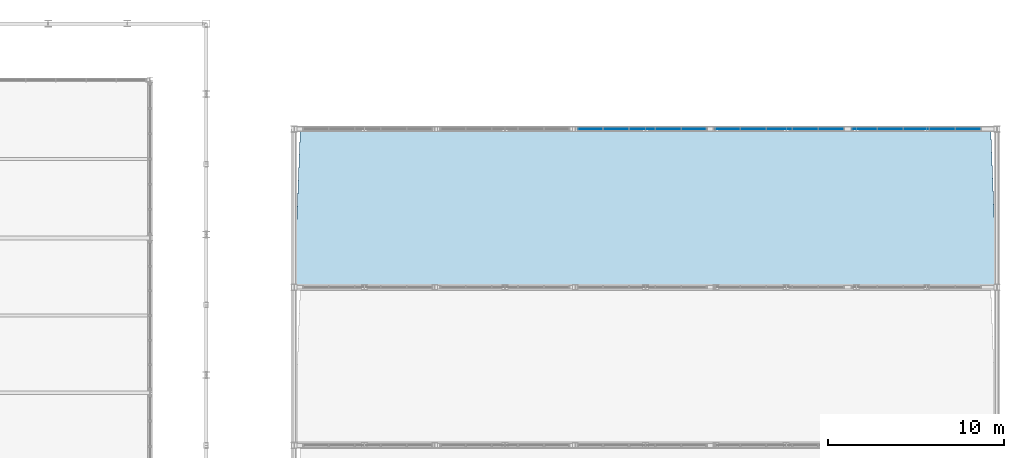
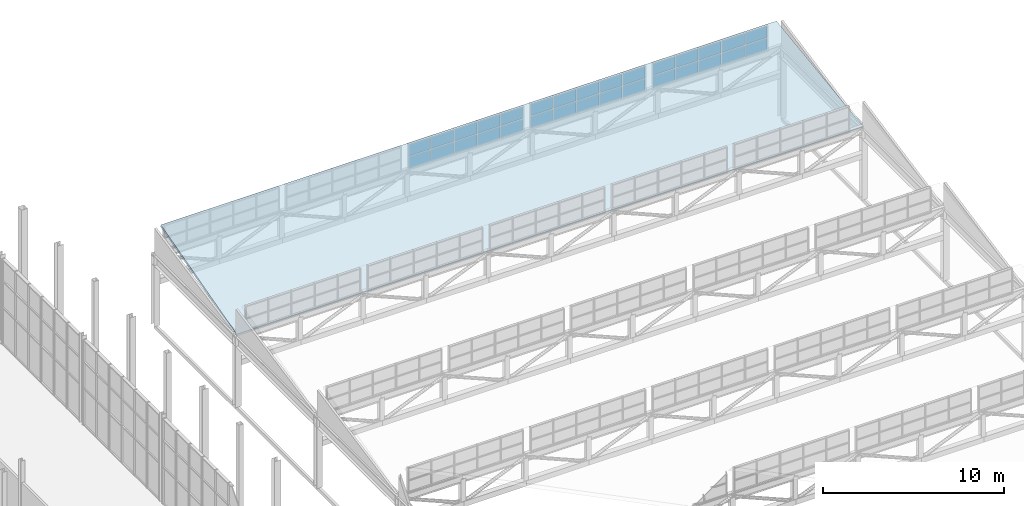
# One storey, part 119 of 159: 30 plates, 1 slab, 3 elements without a shape of their own.
"""IFC4 building model written with IfcOpenShell, lengths in metres."""

from ifc_helpers import new_model, si_unit, direction, frame, origin, origin_2d, place, context, subcontext, project, spatial, polyline, rectangle, outline, extrude, material, layer, layer_set, type_object, element, aggregate, save


model = new_model("IFC4")

# Units and contexts
model_context = context("Model", 3, precision=1e-05, world=origin(), true_north=direction((0.0, 1.0)))
body_context = subcontext(model_context, "Body", "Model", "MODEL_VIEW")
ifc_project = project(units=[si_unit("LENGTHUNIT", "METRE"), si_unit("AREAUNIT", "SQUARE_METRE"), si_unit("VOLUMEUNIT", "CUBIC_METRE"), si_unit("PLANEANGLEUNIT", "RADIAN"), si_unit("MASSUNIT", "GRAM", prefix="KILO")], contexts=[model_context])

# Site, building, storey
site_placement = place(None, origin())
site = spatial("IfcSite", under=ifc_project, at=site_placement, CompositionType="ELEMENT")
building_placement = place(site_placement, origin())
building = spatial("IfcBuilding", under=site, at=building_placement, Name="Cazmaro Siding Exhibition Halls", CompositionType="ELEMENT")
storey_placement = place(building_placement, frame((0.0, 0.0, 6.0)))
storey = spatial("IfcBuildingStorey", under=building, at=storey_placement, Name="L01", CompositionType="ELEMENT", Elevation=6.0)

# Curtain wall, plates
ifc_material_1 = material(Name="Anodized Bronze Aluminum and Solar-Control Low-E Glazing", Category="aluminium")
ifc_layer_1 = layer(ifc_material_1, 0.159912109375)
ifc_layer_set_1 = layer_set([ifc_layer_1], Name="Anodized Bronze Aluminum and Solar-Control Low-E Glazing")
curtain_wall_type = type_object("IfcCurtainWallType", Name="CWS-04", PredefinedType="USERDEFINED", material=ifc_layer_set_1)
curtain_wall_1_placement = place(storey_placement, origin())
curtain_wall_1 = element("IfcCurtainWall", 1, at=curtain_wall_1_placement, inside=storey, type_object=curtain_wall_type, Name="Clerestory Curtain Wall CWS-04 CW-137", ObjectType="CLERESTORY CURTAIN WALL", PredefinedType="USERDEFINED")
ifc_material_2 = material(Name="Solar-Control Low-E Double Insulating Glass", Category="glass")
ifc_layer_2 = layer(ifc_material_2, 0.028076171875)
ifc_layer_set_2 = layer_set([ifc_layer_2], Name="Solar-Control Low-E Double Insulating Glass")
plate_type = type_object("IfcPlateType", Name="CWP-04", PredefinedType="CURTAIN_PANEL", material=ifc_layer_set_2)
plate_1_placement = place(storey_placement, frame((198.7451171875, 118.0, 4.85986328125), z_axis=(0.0, 0.0, 1.0), x_axis=(-1.0, 0.0, 0.0)))
plate_1 = element("IfcPlate", 2, at=plate_1_placement, type_object=plate_type, Name="CWS-04 panel 1.1", PredefinedType="CURTAIN_PANEL", context=body_context, shape_type="SweptSolid", body=[
    extrude(rectangle(XDim=1.389892578125, YDim=0.028076171875, at=origin_2d()), origin(), (0.0, 0.0, 1.0), 0.7900390625),
])
plate_2_placement = place(storey_placement, frame((198.7451171875, 118.0, 5.7099609375), z_axis=(0.0, 0.0, 1.0), x_axis=(-1.0, 0.0, 0.0)))
plate_2 = element("IfcPlate", 3, at=plate_2_placement, type_object=plate_type, Name="CWS-04 panel 1.2", PredefinedType="CURTAIN_PANEL", context=body_context, shape_type="SweptSolid", body=[
    extrude(rectangle(XDim=1.389892578125, YDim=0.028076171875, at=origin_2d()), origin(), (0.0, 0.0, 1.0), 0.780029296875),
])
plate_3_placement = place(storey_placement, frame((197.280029296875, 118.0, 4.85986328125), z_axis=(0.0, 0.0, 1.0), x_axis=(-1.0, 0.0, 0.0)))
plate_3 = element("IfcPlate", 4, at=plate_3_placement, type_object=plate_type, Name="CWS-04 panel 2.1", PredefinedType="CURTAIN_PANEL", context=body_context, shape_type="SweptSolid", body=[
    extrude(rectangle(XDim=1.419921875, YDim=0.028076171875, at=origin_2d()), origin(), (0.0, 0.0, 1.0), 0.7900390625),
])
plate_4_placement = place(storey_placement, frame((197.280029296875, 118.0, 5.7099609375), z_axis=(0.0, 0.0, 1.0), x_axis=(-1.0, 0.0, 0.0)))
plate_4 = element("IfcPlate", 5, at=plate_4_placement, type_object=plate_type, Name="CWS-04 panel 2.2", PredefinedType="CURTAIN_PANEL", context=body_context, shape_type="SweptSolid", body=[
    extrude(rectangle(XDim=1.419921875, YDim=0.028076171875, at=origin_2d()), origin(), (0.0, 0.0, 1.0), 0.780029296875),
])
plate_5_placement = place(storey_placement, frame((195.800048828125, 118.0, 4.85986328125), z_axis=(0.0, 0.0, 1.0), x_axis=(-1.0, 0.0, 0.0)))
plate_5 = element("IfcPlate", 6, at=plate_5_placement, type_object=plate_type, Name="CWS-04 panel 3.1", PredefinedType="CURTAIN_PANEL", context=body_context, shape_type="SweptSolid", body=[
    extrude(rectangle(XDim=1.419921875, YDim=0.028076171875, at=origin_2d()), origin(), (0.0, 0.0, 1.0), 0.7900390625),
])
plate_6_placement = place(storey_placement, frame((195.800048828125, 118.0, 5.7099609375), z_axis=(0.0, 0.0, 1.0), x_axis=(-1.0, 0.0, 0.0)))
plate_6 = element("IfcPlate", 7, at=plate_6_placement, type_object=plate_type, Name="CWS-04 panel 3.2", PredefinedType="CURTAIN_PANEL", context=body_context, shape_type="SweptSolid", body=[
    extrude(rectangle(XDim=1.419921875, YDim=0.028076171875, at=origin_2d()), origin(), (0.0, 0.0, 1.0), 0.780029296875),
])
plate_7_placement = place(storey_placement, frame((194.320068359375, 118.0, 4.85986328125), z_axis=(0.0, 0.0, 1.0), x_axis=(-1.0, 0.0, 0.0)))
plate_7 = element("IfcPlate", 8, at=plate_7_placement, type_object=plate_type, Name="CWS-04 panel 4.1", PredefinedType="CURTAIN_PANEL", context=body_context, shape_type="SweptSolid", body=[
    extrude(rectangle(XDim=1.419921875, YDim=0.028076171875, at=origin_2d()), origin(), (0.0, 0.0, 1.0), 0.7900390625),
])
plate_8_placement = place(storey_placement, frame((194.320068359375, 118.0, 5.7099609375), z_axis=(0.0, 0.0, 1.0), x_axis=(-1.0, 0.0, 0.0)))
plate_8 = element("IfcPlate", 9, at=plate_8_placement, type_object=plate_type, Name="CWS-04 panel 4.2", PredefinedType="CURTAIN_PANEL", context=body_context, shape_type="SweptSolid", body=[
    extrude(rectangle(XDim=1.419921875, YDim=0.028076171875, at=origin_2d()), origin(), (0.0, 0.0, 1.0), 0.780029296875),
])
plate_9_placement = place(storey_placement, frame((192.85498046875, 118.0, 4.85986328125), z_axis=(0.0, 0.0, 1.0), x_axis=(-1.0, 0.0, 0.0)))
plate_9 = element("IfcPlate", 10, at=plate_9_placement, type_object=plate_type, Name="CWS-04 panel 5.1", PredefinedType="CURTAIN_PANEL", context=body_context, shape_type="SweptSolid", body=[
    extrude(rectangle(XDim=1.389892578125, YDim=0.028076171875, at=origin_2d()), origin(), (0.0, 0.0, 1.0), 0.7900390625),
])
plate_10_placement = place(storey_placement, frame((192.85498046875, 118.0, 5.7099609375), z_axis=(0.0, 0.0, 1.0), x_axis=(-1.0, 0.0, 0.0)))
plate_10 = element("IfcPlate", 11, at=plate_10_placement, type_object=plate_type, Name="CWS-04 panel 5.2", PredefinedType="CURTAIN_PANEL", context=body_context, shape_type="SweptSolid", body=[
    extrude(rectangle(XDim=1.389892578125, YDim=0.028076171875, at=origin_2d()), origin(), (0.0, 0.0, 1.0), 0.780029296875),
])
aggregate(curtain_wall_1, [plate_1, plate_2, plate_3, plate_4, plate_5, plate_6, plate_7, plate_8, plate_9, plate_10])

curtain_wall_2_placement = place(storey_placement, origin())
curtain_wall_2 = element("IfcCurtainWall", 12, at=curtain_wall_2_placement, inside=storey, type_object=curtain_wall_type, Name="Clerestory Curtain Wall CWS-04 CW-138", ObjectType="CLERESTORY CURTAIN WALL", PredefinedType="USERDEFINED")
plate_11_placement = place(storey_placement, frame((206.544921875, 118.0, 4.85986328125), z_axis=(0.0, 0.0, 1.0), x_axis=(-1.0, 0.0, 0.0)))
plate_11 = element("IfcPlate", 13, at=plate_11_placement, type_object=plate_type, Name="CWS-04 panel 1.1", PredefinedType="CURTAIN_PANEL", context=body_context, shape_type="SweptSolid", body=[
    extrude(rectangle(XDim=1.389892578125, YDim=0.028076171875, at=origin_2d()), origin(), (0.0, 0.0, 1.0), 0.7900390625),
])
plate_12_placement = place(storey_placement, frame((206.544921875, 118.0, 5.7099609375), z_axis=(0.0, 0.0, 1.0), x_axis=(-1.0, 0.0, 0.0)))
plate_12 = element("IfcPlate", 14, at=plate_12_placement, type_object=plate_type, Name="CWS-04 panel 1.2", PredefinedType="CURTAIN_PANEL", context=body_context, shape_type="SweptSolid", body=[
    extrude(rectangle(XDim=1.389892578125, YDim=0.028076171875, at=origin_2d()), origin(), (0.0, 0.0, 1.0), 0.780029296875),
])
plate_13_placement = place(storey_placement, frame((205.080078125, 118.0, 4.85986328125), z_axis=(0.0, 0.0, 1.0), x_axis=(-1.0, 0.0, 0.0)))
plate_13 = element("IfcPlate", 15, at=plate_13_placement, type_object=plate_type, Name="CWS-04 panel 2.1", PredefinedType="CURTAIN_PANEL", context=body_context, shape_type="SweptSolid", body=[
    extrude(rectangle(XDim=1.419921875, YDim=0.028076171875, at=origin_2d()), origin(), (0.0, 0.0, 1.0), 0.7900390625),
])
plate_14_placement = place(storey_placement, frame((205.080078125, 118.0, 5.7099609375), z_axis=(0.0, 0.0, 1.0), x_axis=(-1.0, 0.0, 0.0)))
plate_14 = element("IfcPlate", 16, at=plate_14_placement, type_object=plate_type, Name="CWS-04 panel 2.2", PredefinedType="CURTAIN_PANEL", context=body_context, shape_type="SweptSolid", body=[
    extrude(rectangle(XDim=1.419921875, YDim=0.028076171875, at=origin_2d()), origin(), (0.0, 0.0, 1.0), 0.780029296875),
])
plate_15_placement = place(storey_placement, frame((203.60009765625, 118.0, 4.85986328125), z_axis=(0.0, 0.0, 1.0), x_axis=(-1.0, 0.0, 0.0)))
plate_15 = element("IfcPlate", 17, at=plate_15_placement, type_object=plate_type, Name="CWS-04 panel 3.1", PredefinedType="CURTAIN_PANEL", context=body_context, shape_type="SweptSolid", body=[
    extrude(rectangle(XDim=1.419921875, YDim=0.028076171875, at=origin_2d()), origin(), (0.0, 0.0, 1.0), 0.7900390625),
])
plate_16_placement = place(storey_placement, frame((203.60009765625, 118.0, 5.7099609375), z_axis=(0.0, 0.0, 1.0), x_axis=(-1.0, 0.0, 0.0)))
plate_16 = element("IfcPlate", 18, at=plate_16_placement, type_object=plate_type, Name="CWS-04 panel 3.2", PredefinedType="CURTAIN_PANEL", context=body_context, shape_type="SweptSolid", body=[
    extrude(rectangle(XDim=1.419921875, YDim=0.028076171875, at=origin_2d()), origin(), (0.0, 0.0, 1.0), 0.780029296875),
])
plate_17_placement = place(storey_placement, frame((202.1201171875, 118.0, 4.85986328125), z_axis=(0.0, 0.0, 1.0), x_axis=(-1.0, 0.0, 0.0)))
plate_17 = element("IfcPlate", 19, at=plate_17_placement, type_object=plate_type, Name="CWS-04 panel 4.1", PredefinedType="CURTAIN_PANEL", context=body_context, shape_type="SweptSolid", body=[
    extrude(rectangle(XDim=1.419921875, YDim=0.028076171875, at=origin_2d()), origin(), (0.0, 0.0, 1.0), 0.7900390625),
])
plate_18_placement = place(storey_placement, frame((202.1201171875, 118.0, 5.7099609375), z_axis=(0.0, 0.0, 1.0), x_axis=(-1.0, 0.0, 0.0)))
plate_18 = element("IfcPlate", 20, at=plate_18_placement, type_object=plate_type, Name="CWS-04 panel 4.2", PredefinedType="CURTAIN_PANEL", context=body_context, shape_type="SweptSolid", body=[
    extrude(rectangle(XDim=1.419921875, YDim=0.028076171875, at=origin_2d()), origin(), (0.0, 0.0, 1.0), 0.780029296875),
])
plate_19_placement = place(storey_placement, frame((200.655029296875, 118.0, 4.85986328125), z_axis=(0.0, 0.0, 1.0), x_axis=(-1.0, 0.0, 0.0)))
plate_19 = element("IfcPlate", 21, at=plate_19_placement, type_object=plate_type, Name="CWS-04 panel 5.1", PredefinedType="CURTAIN_PANEL", context=body_context, shape_type="SweptSolid", body=[
    extrude(rectangle(XDim=1.389892578125, YDim=0.028076171875, at=origin_2d()), origin(), (0.0, 0.0, 1.0), 0.7900390625),
])
plate_20_placement = place(storey_placement, frame((200.655029296875, 118.0, 5.7099609375), z_axis=(0.0, 0.0, 1.0), x_axis=(-1.0, 0.0, 0.0)))
plate_20 = element("IfcPlate", 22, at=plate_20_placement, type_object=plate_type, Name="CWS-04 panel 5.2", PredefinedType="CURTAIN_PANEL", context=body_context, shape_type="SweptSolid", body=[
    extrude(rectangle(XDim=1.389892578125, YDim=0.028076171875, at=origin_2d()), origin(), (0.0, 0.0, 1.0), 0.780029296875),
])
aggregate(curtain_wall_2, [plate_11, plate_12, plate_13, plate_14, plate_15, plate_16, plate_17, plate_18, plate_19, plate_20])

curtain_wall_3_placement = place(storey_placement, origin())
curtain_wall_3 = element("IfcCurtainWall", 23, at=curtain_wall_3_placement, inside=storey, type_object=curtain_wall_type, Name="Clerestory Curtain Wall CWS-04 CW-139", ObjectType="CLERESTORY CURTAIN WALL", PredefinedType="USERDEFINED")
plate_21_placement = place(storey_placement, frame((214.344970703125, 118.0, 4.85986328125), z_axis=(0.0, 0.0, 1.0), x_axis=(-1.0, 0.0, 0.0)))
plate_21 = element("IfcPlate", 24, at=plate_21_placement, type_object=plate_type, Name="CWS-04 panel 1.1", PredefinedType="CURTAIN_PANEL", context=body_context, shape_type="SweptSolid", body=[
    extrude(rectangle(XDim=1.389892578125, YDim=0.028076171875, at=origin_2d()), origin(), (0.0, 0.0, 1.0), 0.7900390625),
])
plate_22_placement = place(storey_placement, frame((214.344970703125, 118.0, 5.7099609375), z_axis=(0.0, 0.0, 1.0), x_axis=(-1.0, 0.0, 0.0)))
plate_22 = element("IfcPlate", 25, at=plate_22_placement, type_object=plate_type, Name="CWS-04 panel 1.2", PredefinedType="CURTAIN_PANEL", context=body_context, shape_type="SweptSolid", body=[
    extrude(rectangle(XDim=1.389892578125, YDim=0.028076171875, at=origin_2d()), origin(), (0.0, 0.0, 1.0), 0.780029296875),
])
plate_23_placement = place(storey_placement, frame((212.8798828125, 118.0, 4.85986328125), z_axis=(0.0, 0.0, 1.0), x_axis=(-1.0, 0.0, 0.0)))
plate_23 = element("IfcPlate", 26, at=plate_23_placement, type_object=plate_type, Name="CWS-04 panel 2.1", PredefinedType="CURTAIN_PANEL", context=body_context, shape_type="SweptSolid", body=[
    extrude(rectangle(XDim=1.419921875, YDim=0.028076171875, at=origin_2d()), origin(), (0.0, 0.0, 1.0), 0.7900390625),
])
plate_24_placement = place(storey_placement, frame((212.8798828125, 118.0, 5.7099609375), z_axis=(0.0, 0.0, 1.0), x_axis=(-1.0, 0.0, 0.0)))
plate_24 = element("IfcPlate", 27, at=plate_24_placement, type_object=plate_type, Name="CWS-04 panel 2.2", PredefinedType="CURTAIN_PANEL", context=body_context, shape_type="SweptSolid", body=[
    extrude(rectangle(XDim=1.419921875, YDim=0.028076171875, at=origin_2d()), origin(), (0.0, 0.0, 1.0), 0.780029296875),
])
plate_25_placement = place(storey_placement, frame((211.39990234375, 118.0, 4.85986328125), z_axis=(0.0, 0.0, 1.0), x_axis=(-1.0, 0.0, 0.0)))
plate_25 = element("IfcPlate", 28, at=plate_25_placement, type_object=plate_type, Name="CWS-04 panel 3.1", PredefinedType="CURTAIN_PANEL", context=body_context, shape_type="SweptSolid", body=[
    extrude(rectangle(XDim=1.419921875, YDim=0.028076171875, at=origin_2d()), origin(), (0.0, 0.0, 1.0), 0.7900390625),
])
plate_26_placement = place(storey_placement, frame((211.39990234375, 118.0, 5.7099609375), z_axis=(0.0, 0.0, 1.0), x_axis=(-1.0, 0.0, 0.0)))
plate_26 = element("IfcPlate", 29, at=plate_26_placement, type_object=plate_type, Name="CWS-04 panel 3.2", PredefinedType="CURTAIN_PANEL", context=body_context, shape_type="SweptSolid", body=[
    extrude(rectangle(XDim=1.419921875, YDim=0.028076171875, at=origin_2d()), origin(), (0.0, 0.0, 1.0), 0.780029296875),
])
plate_27_placement = place(storey_placement, frame((209.919921875, 118.0, 4.85986328125), z_axis=(0.0, 0.0, 1.0), x_axis=(-1.0, 0.0, 0.0)))
plate_27 = element("IfcPlate", 30, at=plate_27_placement, type_object=plate_type, Name="CWS-04 panel 4.1", PredefinedType="CURTAIN_PANEL", context=body_context, shape_type="SweptSolid", body=[
    extrude(rectangle(XDim=1.419921875, YDim=0.028076171875, at=origin_2d()), origin(), (0.0, 0.0, 1.0), 0.7900390625),
])
plate_28_placement = place(storey_placement, frame((209.919921875, 118.0, 5.7099609375), z_axis=(0.0, 0.0, 1.0), x_axis=(-1.0, 0.0, 0.0)))
plate_28 = element("IfcPlate", 31, at=plate_28_placement, type_object=plate_type, Name="CWS-04 panel 4.2", PredefinedType="CURTAIN_PANEL", context=body_context, shape_type="SweptSolid", body=[
    extrude(rectangle(XDim=1.419921875, YDim=0.028076171875, at=origin_2d()), origin(), (0.0, 0.0, 1.0), 0.780029296875),
])
plate_29_placement = place(storey_placement, frame((208.455078125, 118.0, 4.85986328125), z_axis=(0.0, 0.0, 1.0), x_axis=(-1.0, 0.0, 0.0)))
plate_29 = element("IfcPlate", 32, at=plate_29_placement, type_object=plate_type, Name="CWS-04 panel 5.1", PredefinedType="CURTAIN_PANEL", context=body_context, shape_type="SweptSolid", body=[
    extrude(rectangle(XDim=1.389892578125, YDim=0.028076171875, at=origin_2d()), origin(), (0.0, 0.0, 1.0), 0.7900390625),
])
plate_30_placement = place(storey_placement, frame((208.455078125, 118.0, 5.7099609375), z_axis=(0.0, 0.0, 1.0), x_axis=(-1.0, 0.0, 0.0)))
plate_30 = element("IfcPlate", 33, at=plate_30_placement, type_object=plate_type, Name="CWS-04 panel 5.2", PredefinedType="CURTAIN_PANEL", context=body_context, shape_type="SweptSolid", body=[
    extrude(rectangle(XDim=1.389892578125, YDim=0.028076171875, at=origin_2d()), origin(), (0.0, 0.0, 1.0), 0.780029296875),
])
aggregate(curtain_wall_3, [plate_21, plate_22, plate_23, plate_24, plate_25, plate_26, plate_27, plate_28, plate_29, plate_30])

# Slab
ifc_material_3 = material(Name="Concrete f'c 35 MPa", Category="concrete")
ifc_layer_3 = layer(ifc_material_3, 0.159912109375)
ifc_layer_set_3 = layer_set([ifc_layer_3], Name="Concrete f'c 35 MPa")
slab_type = type_object("IfcSlabType", Name="RS-01", PredefinedType="ROOF", material=ifc_layer_set_3)
slab_placement = place(storey_placement, frame((176.0, 109.0, 4.800048828125), z_axis=(0.0, -0.196121250506, 0.980579652604), x_axis=(1.0, 0.0, 0.0)))
element("IfcSlab", 34, at=slab_placement, inside=storey, type_object=slab_type, Name="Sawtooth Hall C Roof Monitor 6 RS-01 SLB-0086", PredefinedType="ROOF", context=body_context, shape_type="SweptSolid", body=[
    extrude(outline(polyline([(0.0, 0.0), (40.0, 0.0), (39.64990234375, 9.17824470057506), (0.35009765625, 9.17824470057506), (0.0, 0.0)])), origin(), (0.0, 0.0, -1.0), 0.159912109375),
])

save(model, "model.ifc")
